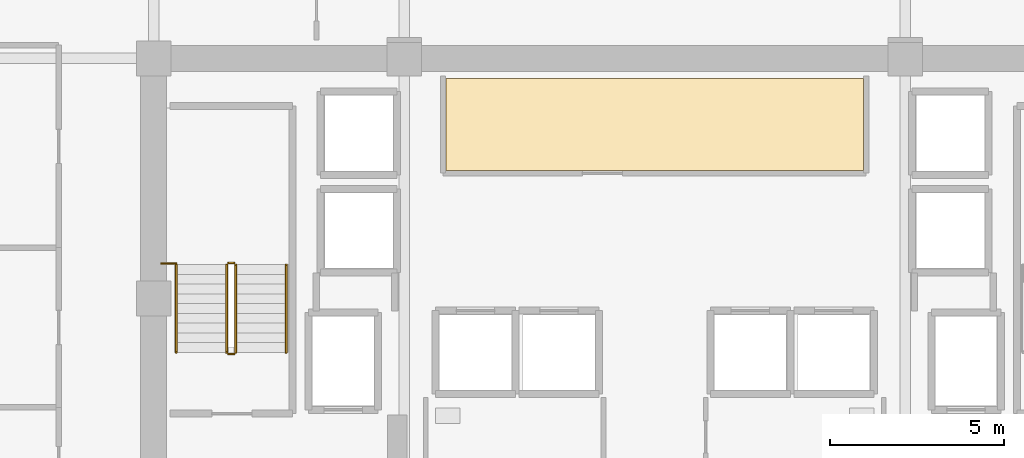
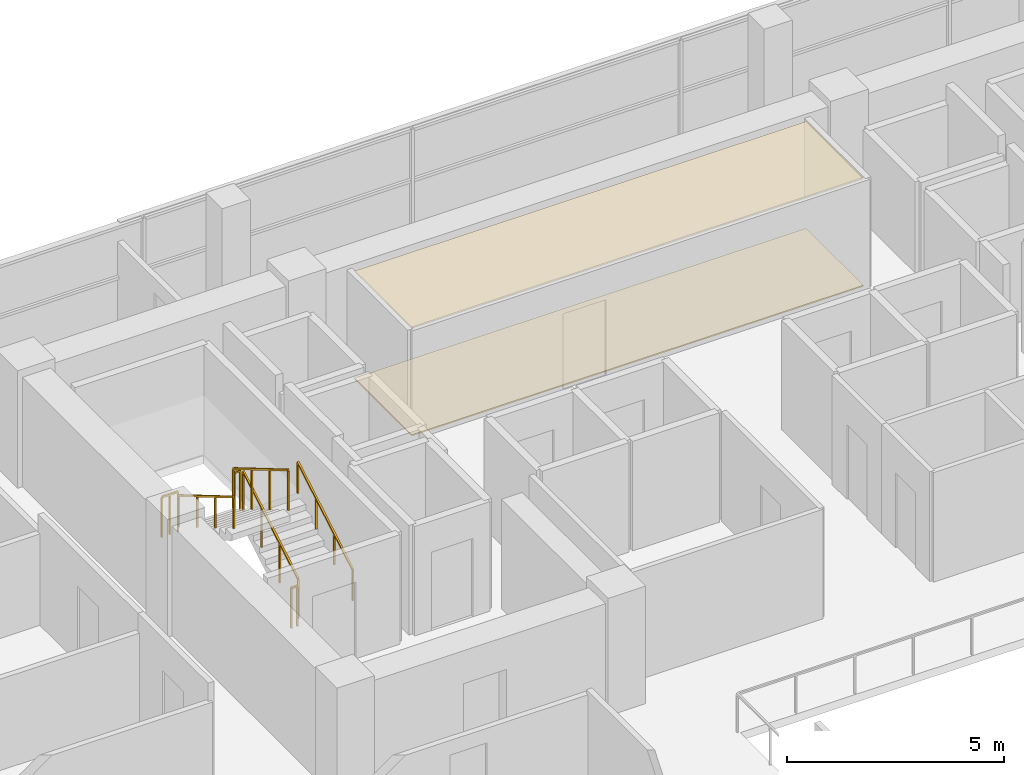
# One storey, part 23 of 25: 7 railings, 2 coverings.
"""IFC4 building model written with IfcOpenShell, lengths in metres."""

from ifc_helpers import new_model, si_unit, direction, frame, origin, origin_2d, place, context, subcontext, project, spatial, polyline, rectangle, outline, extrude, material, layer, layer_set, type_object, element, save


model = new_model("IFC4")

# Units and contexts
model_context = context("Model", 3, precision=1e-05, world=origin(), true_north=direction((0.0, 1.0)))
body_context = subcontext(model_context, "Body", "Model", "MODEL_VIEW")
ifc_project = project(units=[si_unit("LENGTHUNIT", "METRE"), si_unit("AREAUNIT", "SQUARE_METRE"), si_unit("VOLUMEUNIT", "CUBIC_METRE"), si_unit("PLANEANGLEUNIT", "RADIAN"), si_unit("MASSUNIT", "GRAM", prefix="KILO")], contexts=[model_context])

# Site, building, storey
site_placement = place(None, origin())
site = spatial("IfcSite", under=ifc_project, at=site_placement, CompositionType="ELEMENT")
building_placement = place(site_placement, origin())
building = spatial("IfcBuilding", under=site, at=building_placement, Name="Zarnakvel Exchange Tower", CompositionType="ELEMENT")
storey_placement = place(building_placement, frame((0.0, 0.0, 162.699951171875)))
storey = spatial("IfcBuildingStorey", under=building, at=storey_placement, Name="L45", CompositionType="ELEMENT", Elevation=162.699951171875)

# Coverings
ifc_material_1 = material(Name="Perforated Bronze Acoustic Metal Ceiling", Category="aluminium")
ifc_layer_1 = layer(ifc_material_1, 0.02001953125)
ifc_layer_set_1 = layer_set([ifc_layer_1], Name="Perforated Bronze Acoustic Metal Ceiling")
covering_type_1 = type_object("IfcCoveringType", Name="CLG-01", PredefinedType="CEILING", material=ifc_layer_set_1)
covering_1_placement = place(storey_placement, frame((0.0, 0.0, 3.01513671875)))
element("IfcCovering", 1, at=covering_1_placement, inside=storey, type_object=covering_type_1, Name="L45 Suspended Acoustic Ceiling (Market Data Archive Suite)", PredefinedType="CEILING", context=body_context, shape_type="SweptSolid", body=[
    extrude(outline(polyline([(-6.0, 12.919921875), (6.0, 12.919921875), (6.0, 10.280029296875), (-6.0, 10.280029296875), (-6.0, 12.919921875)])), origin(), (0.0, 0.0, 1.0), 0.02001953125),
])
ifc_material_2 = material(Name="Heavy-Duty Raised Access Floor Panel", Category="steel")
ifc_layer_2 = layer(ifc_material_2, 0.034912109375)
ifc_layer_set_2 = layer_set([ifc_layer_2], Name="Heavy-Duty Raised Access Floor Panel")
covering_type_2 = type_object("IfcCoveringType", Name="FLR-02", PredefinedType="FLOORING", material=ifc_layer_set_2)
covering_2_placement = place(storey_placement, origin())
element("IfcCovering", 2, at=covering_2_placement, inside=storey, type_object=covering_type_2, Name="L45 Floor Finish (Market Data Archive Suite)", PredefinedType="FLOORING", context=body_context, shape_type="SweptSolid", body=[
    extrude(outline(polyline([(-6.0, 12.919921875), (6.0, 12.919921875), (6.0, 10.280029296875), (-6.0, 10.280029296875), (-6.0, 12.919921875)])), origin(), (0.0, 0.0, 1.0), 0.03515625),
])

# Railings
ifc_material_3 = material(Name="Brushed Stainless Steel", Category="steel")
railing_type_1 = type_object("IfcRailingType", Name="HR-01", PredefinedType="HANDRAIL", material=ifc_material_3)
railing_1_placement = place(storey_placement, frame((-10.590087890625, 5.050048828125, 0.1650390625)))
element("IfcRailing", 3, at=railing_1_placement, inside=storey, type_object=railing_type_1, Name="L45 ST-01 stair handrail 1", PredefinedType="HANDRAIL", context=body_context, shape_type="SweptSolid", body=[
    extrude(rectangle(XDim=0.048095703125, YDim=0.048095703125, at=origin_2d()), frame((0.0, 0.0, 0.8759765625), z_axis=(0.0, 0.86152411907, 0.507716645641), x_axis=(-1.0, 0.0, 0.0)), (0.0, 0.0, 1.0), 2.925048828125),
    extrude(rectangle(XDim=0.0419921875, YDim=0.0419921875, at=origin_2d()), origin(), (0.0, 0.0, 1.0), 0.851806640625),
    extrude(rectangle(XDim=0.0419921875, YDim=0.0419921875, at=origin_2d()), frame((0.0, 0.840087890625, 0.4951171875)), (0.0, 0.0, 1.0), 0.851806640625),
    extrude(rectangle(XDim=0.0419921875, YDim=0.0419921875, at=origin_2d()), frame((0.0, 1.679931640625, 0.989990234375)), (0.0, 0.0, 1.0), 0.851806640625),
    extrude(rectangle(XDim=0.0419921875, YDim=0.0419921875, at=origin_2d()), frame((0.0, 2.52001953125, 1.485107421875)), (0.0, 0.0, 1.0), 0.851806640625),
])
railing_2_placement = place(storey_placement, frame((-13.75, 7.570068359375, 1.81494140625)))
element("IfcRailing", 4, at=railing_2_placement, inside=storey, type_object=railing_type_1, Name="L45 ST-01 stair handrail 2", PredefinedType="HANDRAIL", context=body_context, shape_type="SweptSolid", body=[
    extrude(rectangle(XDim=0.048095703125, YDim=0.048095703125, at=origin_2d()), frame((0.0, 0.0, 0.8759765625), z_axis=(0.0, -0.86152411907, 0.507716645641), x_axis=(1.0, 0.0, 0.0)), (0.0, 0.0, 1.0), 2.925048828125),
    extrude(rectangle(XDim=0.0419921875, YDim=0.0419921875, at=origin_2d()), origin(), (0.0, 0.0, 1.0), 0.851806640625),
    extrude(rectangle(XDim=0.0419921875, YDim=0.0419921875, at=origin_2d()), frame((0.0, -0.840087890625, 0.4951171875)), (0.0, 0.0, 1.0), 0.851806640625),
    extrude(rectangle(XDim=0.0419921875, YDim=0.0419921875, at=origin_2d()), frame((0.0, -1.679931640625, 0.989990234375)), (0.0, 0.0, 1.0), 0.851806640625),
    extrude(rectangle(XDim=0.0419921875, YDim=0.0419921875, at=origin_2d()), frame((0.0, -2.52001953125, 1.485107421875)), (0.0, 0.0, 1.0), 0.851806640625),
])
ifc_material_4 = material(Name="Architectural Bronze Anodised Aluminium", Category="aluminium")
railing_type_2 = type_object("IfcRailingType", Name="SG-01", PredefinedType="GUARDRAIL", material=ifc_material_4)
railing_3_placement = place(storey_placement, frame((-12.0400390625, 5.050048828125, 0.1650390625)))
element("IfcRailing", 5, at=railing_3_placement, inside=storey, type_object=railing_type_2, Name="L45 ST-01 stair guard 1", PredefinedType="GUARDRAIL", context=body_context, shape_type="SweptSolid", body=[
    extrude(rectangle(XDim=0.048095703125, YDim=0.048095703125, at=origin_2d()), frame((0.0, 0.0, 1.1259765625), z_axis=(0.0, 0.86152411907, 0.507716645641), x_axis=(-1.0, 0.0, 0.0)), (0.0, 0.0, 1.0), 2.925048828125),
    extrude(rectangle(XDim=0.0419921875, YDim=0.0419921875, at=origin_2d()), origin(), (0.0, 0.0, 1.0), 1.101806640625),
    extrude(rectangle(XDim=0.0419921875, YDim=0.0419921875, at=origin_2d()), frame((0.0, 0.840087890625, 0.4951171875)), (0.0, 0.0, 1.0), 1.101806640625),
    extrude(rectangle(XDim=0.0419921875, YDim=0.0419921875, at=origin_2d()), frame((0.0, 1.679931640625, 0.989990234375)), (0.0, 0.0, 1.0), 1.101806640625),
    extrude(rectangle(XDim=0.0419921875, YDim=0.0419921875, at=origin_2d()), frame((0.0, 2.52001953125, 1.485107421875)), (0.0, 0.0, 1.0), 1.101806640625),
])
railing_4_placement = place(storey_placement, frame((-12.090087890625, 7.6201171875, 1.650146484375)))
element("IfcRailing", 6, at=railing_4_placement, inside=storey, type_object=railing_type_2, Name="L45 ST-01 stair guard 2", PredefinedType="GUARDRAIL", context=body_context, shape_type="SweptSolid", body=[
    extrude(rectangle(XDim=0.048095703125, YDim=0.048095703125, at=origin_2d()), frame((0.0, 0.0, 1.1259765625), z_axis=(-1.0, 0.0, 0.0), x_axis=(0.0, -1.0, 0.0)), (0.0, 0.0, 1.0), 0.159912109375),
    extrude(rectangle(XDim=0.0419921875, YDim=0.0419921875, at=origin_2d()), origin(), (0.0, 0.0, 1.0), 1.101806640625),
    extrude(rectangle(XDim=0.0419921875, YDim=0.0419921875, at=origin_2d()), frame((-0.159912109375, 0.0, 0.0)), (0.0, 0.0, 1.0), 1.101806640625),
])
railing_5_placement = place(storey_placement, frame((-12.300048828125, 7.570068359375, 1.81494140625)))
element("IfcRailing", 7, at=railing_5_placement, inside=storey, type_object=railing_type_2, Name="L45 ST-01 stair guard 3", PredefinedType="GUARDRAIL", context=body_context, shape_type="SweptSolid", body=[
    extrude(rectangle(XDim=0.048095703125, YDim=0.048095703125, at=origin_2d()), frame((0.0, 0.0, 1.1259765625), z_axis=(0.0, -0.86152411907, 0.507716645641), x_axis=(1.0, 0.0, 0.0)), (0.0, 0.0, 1.0), 2.925048828125),
    extrude(rectangle(XDim=0.0419921875, YDim=0.0419921875, at=origin_2d()), origin(), (0.0, 0.0, 1.0), 1.101806640625),
    extrude(rectangle(XDim=0.0419921875, YDim=0.0419921875, at=origin_2d()), frame((0.0, -0.840087890625, 0.4951171875)), (0.0, 0.0, 1.0), 1.101806640625),
    extrude(rectangle(XDim=0.0419921875, YDim=0.0419921875, at=origin_2d()), frame((0.0, -1.679931640625, 0.989990234375)), (0.0, 0.0, 1.0), 1.101806640625),
    extrude(rectangle(XDim=0.0419921875, YDim=0.0419921875, at=origin_2d()), frame((0.0, -2.52001953125, 1.485107421875)), (0.0, 0.0, 1.0), 1.101806640625),
])
railing_6_placement = place(storey_placement, frame((-12.090087890625, 5.0, 0.0)))
element("IfcRailing", 8, at=railing_6_placement, inside=storey, type_object=railing_type_2, Name="L45 ST-01 stair guard 4", PredefinedType="GUARDRAIL", context=body_context, shape_type="SweptSolid", body=[
    extrude(rectangle(XDim=0.048095703125, YDim=0.048095703125, at=origin_2d()), frame((0.0, 0.0, 1.1259765625), z_axis=(-1.0, 0.0, 0.0), x_axis=(0.0, -1.0, 0.0)), (0.0, 0.0, 1.0), 0.159912109375),
    extrude(rectangle(XDim=0.0419921875, YDim=0.0419921875, at=origin_2d()), origin(), (0.0, 0.0, 1.0), 1.101806640625),
    extrude(rectangle(XDim=0.0419921875, YDim=0.0419921875, at=origin_2d()), frame((-0.159912109375, 0.0, 0.0)), (0.0, 0.0, 1.0), 1.101806640625),
])
railing_7_placement = place(storey_placement, frame((-14.179931640625, 7.610107421875, 1.650146484375)))
element("IfcRailing", 9, at=railing_7_placement, inside=storey, type_object=railing_type_2, Name="L45 ST-01 Landing Slot Guardrail", PredefinedType="GUARDRAIL", context=body_context, shape_type="SweptSolid", body=[
    extrude(rectangle(XDim=0.048095703125, YDim=0.048095703125, at=origin_2d()), frame((0.0, 0.0, 1.1259765625), z_axis=(1.0, 0.0, 0.0), x_axis=(0.0, 1.0, 0.0)), (0.0, 0.0, 1.0), 0.429931640625),
    extrude(rectangle(XDim=0.0419921875, YDim=0.0419921875, at=origin_2d()), origin(), (0.0, 0.0, 1.0), 1.101806640625),
    extrude(rectangle(XDim=0.0419921875, YDim=0.0419921875, at=origin_2d()), frame((0.21484375, 0.0, 0.0)), (0.0, 0.0, 1.0), 1.101806640625),
    extrude(rectangle(XDim=0.0419921875, YDim=0.0419921875, at=origin_2d()), frame((0.429931640625, 0.0, 0.0)), (0.0, 0.0, 1.0), 1.101806640625),
])

save(model, "model.ifc")
